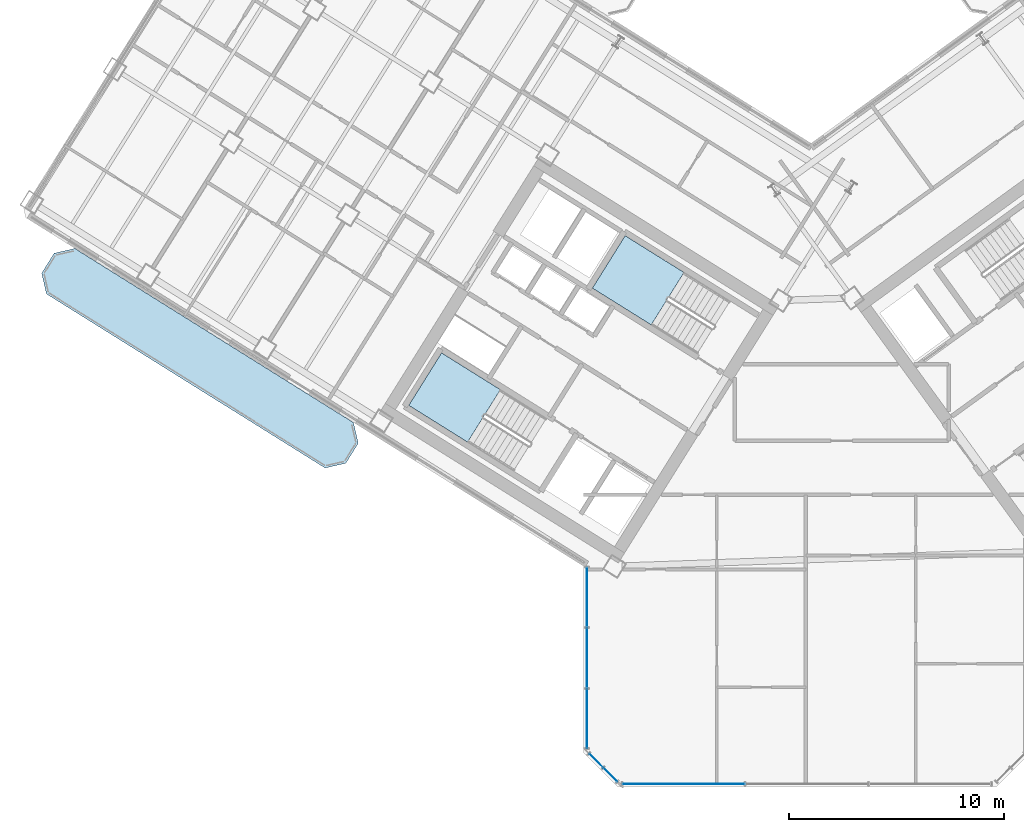
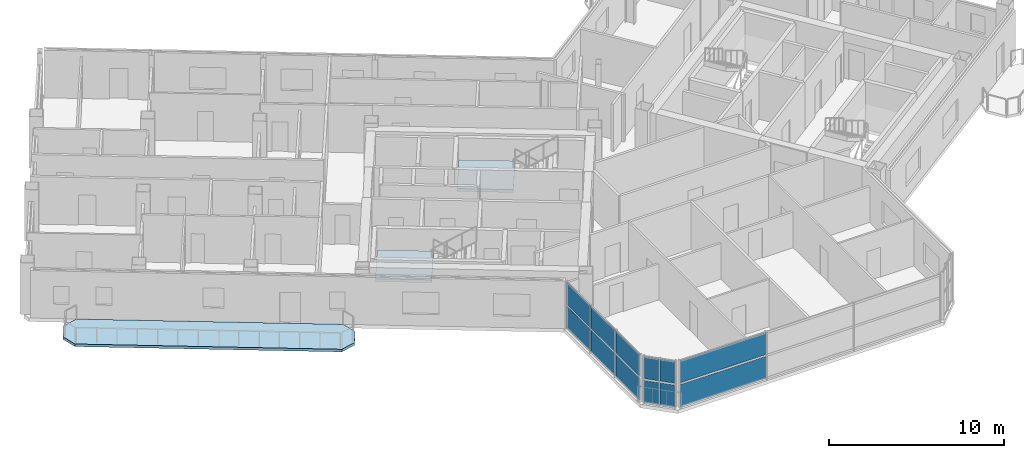
# One storey, part 8 of 21: 12 plates, 3 slabs, 5 elements without a shape of their own.
"""IFC4 building model written with IfcOpenShell, lengths in metres."""

import ifcopenshell
import ifcopenshell.guid

model = None  # the IFC model being written
_history = None  # IfcOwnerHistory: only IFC2X3 demands one
_inside = {}  # id of a spatial element -> (the spatial element, [elements in it])
_under = {}  # id of a project, library or spatial element -> (it, [spatial elements below it])
_declared = {}  # id of a project -> (the project, [libraries it declares])
_typed = {}  # id of a type object -> (the type object, [elements of that type])
_made_of = {}  # id of a material, layer set ... -> (it, [elements and type objects made of it])


def new_model(schema):
    """Start an empty IFC model of exactly this schema.

    Asked for "IFC4X3", IfcOpenShell would pick the latest addendum, in which some entities
    have other attributes; the version numbers below select the first issue.
    IFC2X3 requires an IfcOwnerHistory on every rooted entity: one is made here for all.
    """
    global model, _history
    if schema == "IFC4X3":
        model = ifcopenshell.file(schema_version=(4, 3, 0, 0))
    else:
        model = ifcopenshell.file(schema=schema)
    _inside.clear()
    _under.clear()
    _declared.clear()
    _typed.clear()
    _made_of.clear()
    _history = None
    if model.schema == "IFC2X3":
        org = make("IfcOrganization", Name="unknown")
        user = make(
            "IfcPersonAndOrganization",
            ThePerson=make("IfcPerson", FamilyName="unknown"),
            TheOrganization=org,
        )
        app = make(
            "IfcApplication",
            ApplicationDeveloper=org,
            Version="unknown",
            ApplicationFullName="unknown",
            ApplicationIdentifier="unknown",
        )
        _history = make(
            "IfcOwnerHistory",
            OwningUser=user,
            OwningApplication=app,
            ChangeAction="ADDED",
            CreationDate=0,
        )
    return model


def make(cls, **values):
    """One entity of the class cls with the attributes given. An attribute that is None is left unset."""
    return model.create_entity(
        cls, **{name: value for name, value in values.items() if value is not None}
    )


def rooted(cls, **values):
    """An entity with a GlobalId (a new one), such as an element, a storey or a relation."""
    return make(cls, GlobalId=ifcopenshell.guid.new(), OwnerHistory=_history, **values)


def si_unit(unit_type, name, prefix=None):
    """IfcSIUnit, for example si_unit("LENGTHUNIT", "METRE", prefix="MILLI")."""
    return make("IfcSIUnit", UnitType=unit_type, Prefix=prefix, Name=name)


def assignment(units):
    """IfcUnitAssignment: the units of a project."""
    return None if units is None else make("IfcUnitAssignment", Units=units)


def point(xyz):
    """IfcCartesianPoint."""
    return None if xyz is None else make("IfcCartesianPoint", Coordinates=xyz)


def direction(xyz):
    """IfcDirection."""
    return None if xyz is None else make("IfcDirection", DirectionRatios=xyz)


def frame(location, z_axis=None, x_axis=None):
    """IfcAxis2Placement3D, a coordinate frame: its origin and axes. An axis left out is left unset."""
    return make(
        "IfcAxis2Placement3D",
        Location=point(location),
        Axis=direction(z_axis),
        RefDirection=direction(x_axis),
    )


def frame_2d(location, x_axis=None):
    """IfcAxis2Placement2D, a coordinate frame in the plane: its origin and x axis."""
    return make(
        "IfcAxis2Placement2D", Location=point(location), RefDirection=direction(x_axis)
    )


def origin():
    """The frame at (0, 0, 0) with its axes left unset."""
    return frame((0.0, 0.0, 0.0))


def origin_2d():
    """The frame at (0, 0) in the plane with its x axis left unset."""
    return frame_2d((0.0, 0.0))


def place(relative_to, where):
    """IfcLocalPlacement: puts the frame where relative to a parent placement (None: the world)."""
    return make(
        "IfcLocalPlacement", PlacementRelTo=relative_to, RelativePlacement=where
    )


def context(
    kind, dimensions, precision=None, world=None, true_north=None, identifier=None
):
    """IfcGeometricRepresentationContext, for example the 3D "Model" context."""
    return make(
        "IfcGeometricRepresentationContext",
        ContextIdentifier=identifier,
        ContextType=kind,
        CoordinateSpaceDimension=dimensions,
        Precision=precision,
        WorldCoordinateSystem=world,
        TrueNorth=true_north,
    )


def subcontext(parent, identifier, kind, view, scale=None):
    """IfcGeometricRepresentationSubContext, for example "Body" below "Model"."""
    return make(
        "IfcGeometricRepresentationSubContext",
        ContextIdentifier=identifier,
        ContextType=kind,
        ParentContext=parent,
        TargetScale=scale,
        TargetView=view,
    )


def project(units=None, contexts=None):
    """IfcProject with its units and contexts."""
    return rooted(
        "IfcProject",
        Name="project",
        RepresentationContexts=contexts,
        UnitsInContext=assignment(units),
    )


def spatial(cls, under=None, at=None, **own):
    """A site, building, storey or space (cls), placed at a placement, below another one or the project."""
    s = rooted(cls, ObjectPlacement=at, **own)
    if under is not None:
        _under.setdefault(under.id(), (under, []))[1].append(s)
    return s


def polyline(points):
    """IfcPolyline through the points."""
    return make("IfcPolyline", Points=[point(p) for p in points])


def profile(cls, at=None, kind="AREA", **sizes):
    """A parametric profile (cls). Its sizes go by their IFC names, for example OverallWidth=200.0."""
    return make(cls, ProfileType=kind, Position=at, **sizes)


def rectangle(**sizes):
    """IfcRectangleProfileDef."""
    return profile("IfcRectangleProfileDef", **sizes)


def outline(outer, holes=None, kind="AREA"):
    """IfcArbitraryClosedProfileDef: a profile drawn as a closed curve; with holes, ...WithVoids."""
    if holes is None:
        return make("IfcArbitraryClosedProfileDef", ProfileType=kind, OuterCurve=outer)
    return make(
        "IfcArbitraryProfileDefWithVoids",
        ProfileType=kind,
        OuterCurve=outer,
        InnerCurves=holes,
    )


def extrude(swept, where, along, depth):
    """IfcExtrudedAreaSolid: the profile swept, set in the frame where, extruded along a direction by depth."""
    return make(
        "IfcExtrudedAreaSolid",
        SweptArea=swept,
        Position=where,
        ExtrudedDirection=direction(along),
        Depth=depth,
    )


def shape(context_of_items, identifier, shape_type, items):
    """IfcShapeRepresentation: the items that make up one representation, for example the "Body"."""
    return make(
        "IfcShapeRepresentation",
        ContextOfItems=context_of_items,
        RepresentationIdentifier=identifier,
        RepresentationType=shape_type,
        Items=items,
    )


def source(mapping_origin, context_of_items, identifier, shape_type, items):
    """IfcRepresentationMap: a shape defined once, which mapped items show again and again."""
    return make(
        "IfcRepresentationMap",
        MappingOrigin=mapping_origin,
        MappedRepresentation=shape(context_of_items, identifier, shape_type, items),
    )


def transform(
    local_origin,
    x_axis=None,
    y_axis=None,
    z_axis=None,
    scale=None,
    scale2=None,
    scale3=None,
    uniform=True,
):
    """IfcCartesianTransformationOperator3D, or its non-uniform kind. x_axis, y_axis, z_axis: its Axis1, 2, 3."""
    if uniform:
        return make(
            "IfcCartesianTransformationOperator3D",
            Axis1=direction(x_axis),
            Axis2=direction(y_axis),
            LocalOrigin=point(local_origin),
            Scale=scale,
            Axis3=direction(z_axis),
        )
    return make(
        "IfcCartesianTransformationOperator3DnonUniform",
        Axis1=direction(x_axis),
        Axis2=direction(y_axis),
        LocalOrigin=point(local_origin),
        Scale=scale,
        Axis3=direction(z_axis),
        Scale2=scale2,
        Scale3=scale3,
    )


def mapped(mapping_source, mapping_target):
    """IfcMappedItem: shows the shape of a source again, moved by a transform."""
    return make(
        "IfcMappedItem", MappingSource=mapping_source, MappingTarget=mapping_target
    )


def material(Name=None, Category=None):
    """IfcMaterial."""
    return make("IfcMaterial", Name=Name, Category=Category)


def layer(
    of_material, thickness, ventilated=None, Name=None, Category=None, Priority=None
):
    """IfcMaterialLayer: one layer of a wall or slab, of a material (None: an air gap)."""
    return make(
        "IfcMaterialLayer",
        Material=of_material,
        LayerThickness=thickness,
        IsVentilated=ventilated,
        Name=Name,
        Category=Category,
        Priority=Priority,
    )


def layer_set(layers, Name=None):
    """IfcMaterialLayerSet."""
    return make("IfcMaterialLayerSet", MaterialLayers=layers, LayerSetName=Name)


def made_of(thing, what):
    """Note that an element or type object is made of a material, layer set ...; save() writes the relation."""
    if what is not None:
        _made_of.setdefault(what.id(), (what, []))[1].append(thing)
    return thing


def type_object(cls, material=None, **own):
    """A type object (cls), such as IfcWallType, which elements share."""
    return made_of(rooted(cls, **own), material)


def element(
    cls,
    number,
    at=None,
    inside=None,
    cuts=None,
    type_object=None,
    material=None,
    context=None,
    identifier="Body",
    shape_type=None,
    held_by="IfcProductDefinitionShape",
    body=None,
    shapes=None,
    **own,
):
    """One element of the class cls, such as IfcWall. Its Tag is "e" and its number.

    at: its placement. inside: the storey or other place that contains it. cuts: it is an
    opening in that element (IfcRelVoidsElement). A single representation is given by context,
    identifier, shape_type and body (its items); several are given by shapes. held_by: the class
    of the entity that holds the representations. save() writes the other relations.
    """
    e = rooted(cls, Tag="e%d" % number, ObjectPlacement=at, **own)
    if body is not None:
        shapes = [shape(context, identifier, shape_type, body)]
    if shapes is not None:
        e.Representation = make(held_by, Representations=shapes)
    if inside is not None:
        _inside.setdefault(inside.id(), (inside, []))[1].append(e)
    if cuts is not None:
        rooted(
            "IfcRelVoidsElement", RelatingBuildingElement=cuts, RelatedOpeningElement=e
        )
    if type_object is not None:
        _typed.setdefault(type_object.id(), (type_object, []))[1].append(e)
    return made_of(e, material)


def aggregate(whole, parts):
    """IfcRelAggregates: a whole, such as a stair, and the parts it consists of."""
    return rooted("IfcRelAggregates", RelatingObject=whole, RelatedObjects=parts)


def save(model, path):
    """Write the relations noted so far, then the file.

    IfcRelAggregates (storeys below a building ...), IfcRelContainedInSpatialStructure (elements
    in a storey), IfcRelDefinesByType, IfcRelAssociatesMaterial and IfcRelDeclares: one each for
    every whole, place, type object, material and project.
    """
    for whole, parts in _under.values():
        aggregate(whole, parts)
    for where, things in _inside.values():
        rooted(
            "IfcRelContainedInSpatialStructure",
            RelatedElements=things,
            RelatingStructure=where,
        )
    for kind, things in _typed.values():
        rooted("IfcRelDefinesByType", RelatedObjects=things, RelatingType=kind)
    for what, things in _made_of.values():
        rooted("IfcRelAssociatesMaterial", RelatedObjects=things, RelatingMaterial=what)
    for by, libraries in _declared.values():
        rooted("IfcRelDeclares", RelatingContext=by, RelatedDefinitions=libraries)
    model.write(path)


model = new_model("IFC4")

# Units and contexts
model_context = context("Model", 3, precision=1e-05, world=origin(), true_north=direction((0.0, 1.0)))
body_context = subcontext(model_context, "Body", "Model", "MODEL_VIEW")
ifc_project = project(units=[si_unit("LENGTHUNIT", "METRE"), si_unit("AREAUNIT", "SQUARE_METRE"), si_unit("VOLUMEUNIT", "CUBIC_METRE"), si_unit("PLANEANGLEUNIT", "RADIAN"), si_unit("MASSUNIT", "GRAM", prefix="KILO")], contexts=[model_context])

# Site, building, storey
site_placement = place(None, origin())
site = spatial("IfcSite", under=ifc_project, at=site_placement, CompositionType="ELEMENT")
building_placement = place(site_placement, origin())
building = spatial("IfcBuilding", under=site, at=building_placement, Name="Tlacorven Tower", CompositionType="ELEMENT")
storey_placement = place(building_placement, frame((0.0, 0.0, 191.39990234375)))
storey = spatial("IfcBuildingStorey", under=building, at=storey_placement, Name="L48", CompositionType="ELEMENT", Elevation=191.39990234375)

# Slab
ifc_material_1 = material(Name="Precast concrete C45/55", Category="concrete")
ifc_layer_1 = layer(ifc_material_1, 0.179931640625)
ifc_layer_set_1 = layer_set([ifc_layer_1], Name="Precast concrete C45/55")
slab_type_1 = type_object("IfcSlabType", Name="SL-BAL-180", PredefinedType="USERDEFINED", material=ifc_layer_set_1)
slab_1_placement = place(storey_placement, frame((0.0, 0.0, -0.179931640625)))
element("IfcSlab", 1, at=slab_1_placement, inside=storey, type_object=slab_type_1, Name="L48 West Wing Balcony Ribbon OUT", ObjectType="BALCONY SLAB", PredefinedType="USERDEFINED", context=body_context, shape_type="SweptSolid", body=[
    extrude(outline(polyline([(20.88671875, 18.78271484375), (7.91162109375, 26.890625), (6.947021484375, 26.66796875), (6.366943359375, 25.7392578125), (6.589599609375, 24.774658203125), (19.564697265625, 16.6669921875), (20.529296875, 16.8896484375), (21.109375, 17.818115234375), (20.88671875, 18.78271484375)])), origin(), (0.0, 0.0, 1.0), 0.179931640625),
])

# Stair, slab
ifc_material_2 = material(Name="Concrete C40/50", Category="concrete")
stair_type = type_object("IfcStairType", Name="ST-CORE-DLG", PredefinedType="HALF_TURN_STAIR", material=ifc_material_2)
stair_1_placement = place(storey_placement, origin())
stair_1 = element("IfcStair", 2, at=stair_1_placement, inside=storey, type_object=stair_type, Name="L48 Protected Exit Stair West 1", PredefinedType="HALF_TURN_STAIR")
ifc_layer_2 = layer(ifc_material_2, 0.199951171875)
ifc_layer_set_2 = layer_set([ifc_layer_2], Name="Concrete C40/50")
slab_type_2 = type_object("IfcSlabType", Name="SL-LND-200", PredefinedType="LANDING", material=ifc_layer_set_2)
slab_2_placement = place(storey_placement, frame((0.0, 0.0, 1.60009765625)))
slab_2 = element("IfcSlab", 3, at=slab_2_placement, type_object=slab_type_2, Name="ST-W1 landing 1", PredefinedType="LANDING", context=body_context, shape_type="SweptSolid", body=[
    extrude(outline(polyline([(27.728515625, 20.315185546875), (24.9892578125, 22.02685546875), (23.463134765625, 19.58447265625), (26.2021484375, 17.872802734375), (27.728515625, 20.315185546875)])), origin(), (0.0, 0.0, 1.0), 0.199951171875),
])
aggregate(stair_1, [slab_2])

stair_2_placement = place(storey_placement, origin())
stair_2 = element("IfcStair", 4, at=stair_2_placement, inside=storey, type_object=stair_type, Name="L48 Protected Exit Stair West 2", PredefinedType="HALF_TURN_STAIR")
slab_3_placement = place(storey_placement, frame((0.0, 0.0, 1.60009765625)))
slab_3 = element("IfcSlab", 5, at=slab_3_placement, type_object=slab_type_2, Name="ST-W2 landing 1", PredefinedType="LANDING", context=body_context, shape_type="SweptSolid", body=[
    extrude(outline(polyline([(36.280029296875, 25.772705078125), (33.540771484375, 27.484375), (32.0146484375, 25.0419921875), (34.75390625, 23.33056640625), (36.280029296875, 25.772705078125)])), origin(), (0.0, 0.0, 1.0), 0.199951171875),
])
aggregate(stair_2, [slab_3])

# Curtain wall, plates
ifc_material_3 = material(Name="Dark solar low-E double glazing in aluminium frame", Category="aluminium")
curtain_wall_type = type_object("IfcCurtainWallType", Name="CW-TWR-MID", PredefinedType="USERDEFINED", material=ifc_material_3)
curtain_wall_1_placement = place(storey_placement, origin())
curtain_wall_1 = element("IfcCurtainWall", 6, at=curtain_wall_1_placement, inside=storey, type_object=curtain_wall_type, Name="L48 CW-TWR-MID Curtain Wall 222", ObjectType="UNITISED CURTAIN WALL", PredefinedType="USERDEFINED")
ifc_material_4 = material(Name="High-wind dark solar tempered low-E glazing", Category="glass")
ifc_layer_3 = layer(ifc_material_4, 0.028076171875)
ifc_layer_set_3 = layer_set([ifc_layer_3], Name="High-wind dark solar tempered low-E glazing")
plate_type = type_object("IfcPlateType", Name="CWP-03", PredefinedType="CURTAIN_PANEL", material=ifc_layer_set_3)
shared_shape_1 = source(origin(), body_context, "Body", "SweptSolid", [
    extrude(rectangle(XDim=0.885498046875, YDim=0.028076171875, at=origin_2d()), origin(), (0.0, 0.0, 1.0), 1.5380859375),
])
plate_1_placement = place(storey_placement, frame((32.8427734375, 2.38330078125, 0.06103515625), z_axis=(0.0, 0.0, 1.0), x_axis=(-0.707106781187, 0.707106781187, 0.0)))
plate_1 = element("IfcPlate", 7, at=plate_1_placement, type_object=plate_type, Name="CW-L48-222 Glazing Panel 1", PredefinedType="CURTAIN_PANEL", context=body_context, shape_type="MappedRepresentation", body=[
    mapped(shared_shape_1, transform((0.0, 0.0, 0.0), scale=1.0)),
])
plate_2_placement = place(storey_placement, frame((32.8427734375, 2.38330078125, 1.720947265625), z_axis=(0.0, 0.0, 1.0), x_axis=(-0.707106781187, 0.707106781187, 0.0)))
plate_2 = element("IfcPlate", 8, at=plate_2_placement, type_object=plate_type, Name="CW-L48-222 Glazing Panel 2", PredefinedType="CURTAIN_PANEL", context=body_context, shape_type="MappedRepresentation", body=[
    mapped(shared_shape_1, transform((0.0, 0.0, 0.0), scale=1.0)),
])
plate_3_placement = place(storey_placement, frame((32.183349609375, 3.04296875, 0.06103515625), z_axis=(0.0, 0.0, 1.0), x_axis=(-0.707106781187, 0.707106781187, 0.0)))
plate_3 = element("IfcPlate", 9, at=plate_3_placement, type_object=plate_type, Name="CW-L48-222 Glazing Panel 3", PredefinedType="CURTAIN_PANEL", context=body_context, shape_type="MappedRepresentation", body=[
    mapped(shared_shape_1, transform((0.0, 0.0, 0.0), scale=1.0)),
])
plate_4_placement = place(storey_placement, frame((32.183349609375, 3.04296875, 1.720947265625), z_axis=(0.0, 0.0, 1.0), x_axis=(-0.707106781187, 0.707106781187, 0.0)))
plate_4 = element("IfcPlate", 10, at=plate_4_placement, type_object=plate_type, Name="CW-L48-222 Glazing Panel 4", PredefinedType="CURTAIN_PANEL", context=body_context, shape_type="MappedRepresentation", body=[
    mapped(shared_shape_1, transform((0.0, 0.0, 0.0), scale=1.0)),
])
aggregate(curtain_wall_1, [plate_1, plate_2, plate_3, plate_4])

curtain_wall_2_placement = place(storey_placement, origin())
curtain_wall_2 = element("IfcCurtainWall", 11, at=curtain_wall_2_placement, inside=storey, type_object=curtain_wall_type, Name="L48 CW-TWR-MID Curtain Wall 221", ObjectType="UNITISED CURTAIN WALL", PredefinedType="USERDEFINED")
shared_shape_2 = source(origin(), body_context, "Body", "SweptSolid", [
    extrude(rectangle(XDim=5.67626953125, YDim=0.028076171875, at=origin_2d()), origin(), (0.0, 0.0, 1.0), 1.5380859375),
])
plate_5_placement = place(storey_placement, frame((36.260498046875, 1.9599609375, 0.06103515625), z_axis=(0.0, 0.0, 1.0), x_axis=(-1.0, 0.0, 0.0)))
plate_5 = element("IfcPlate", 12, at=plate_5_placement, type_object=plate_type, Name="CW-L48-221 Glazing Panel 5", PredefinedType="CURTAIN_PANEL", context=body_context, shape_type="MappedRepresentation", body=[
    mapped(shared_shape_2, transform((0.0, 0.0, 0.0), scale=1.0)),
])
plate_6_placement = place(storey_placement, frame((36.260498046875, 1.9599609375, 1.720947265625), z_axis=(0.0, 0.0, 1.0), x_axis=(-1.0, 0.0, 0.0)))
plate_6 = element("IfcPlate", 13, at=plate_6_placement, type_object=plate_type, Name="CW-L48-221 Glazing Panel 6", PredefinedType="CURTAIN_PANEL", context=body_context, shape_type="MappedRepresentation", body=[
    mapped(shared_shape_2, transform((0.0, 0.0, 0.0), scale=1.0)),
])
aggregate(curtain_wall_2, [plate_5, plate_6])

curtain_wall_3_placement = place(storey_placement, origin())
curtain_wall_3 = element("IfcCurtainWall", 14, at=curtain_wall_3_placement, inside=storey, type_object=curtain_wall_type, Name="L48 CW-TWR-MID Curtain Wall 223", ObjectType="UNITISED CURTAIN WALL", PredefinedType="USERDEFINED")
shared_shape_3 = source(origin(), body_context, "Body", "SweptSolid", [
    extrude(rectangle(XDim=2.759521484375, YDim=0.028076171875, at=origin_2d()), origin(), (0.0, 0.0, 1.0), 1.5380859375),
])
plate_7_placement = place(storey_placement, frame((31.760009765625, 5.001953125, 0.06103515625), z_axis=(0.0, 0.0, 1.0), x_axis=(0.0, 1.0, 0.0)))
plate_7 = element("IfcPlate", 15, at=plate_7_placement, type_object=plate_type, Name="CW-L48-223 Glazing Panel 1", PredefinedType="CURTAIN_PANEL", context=body_context, shape_type="MappedRepresentation", body=[
    mapped(shared_shape_3, transform((0.0, 0.0, 0.0), scale=1.0)),
])
plate_8_placement = place(storey_placement, frame((31.760009765625, 5.001953125, 1.720947265625), z_axis=(0.0, 0.0, 1.0), x_axis=(0.0, 1.0, 0.0)))
plate_8 = element("IfcPlate", 16, at=plate_8_placement, type_object=plate_type, Name="CW-L48-223 Glazing Panel 2", PredefinedType="CURTAIN_PANEL", context=body_context, shape_type="MappedRepresentation", body=[
    mapped(shared_shape_3, transform((0.0, 0.0, 0.0), scale=1.0)),
])
plate_9_placement = place(storey_placement, frame((31.760009765625, 10.6474609375, 0.06103515625), z_axis=(0.0, 0.0, 1.0), x_axis=(0.0, 1.0, 0.0)))
plate_9 = element("IfcPlate", 17, at=plate_9_placement, type_object=plate_type, Name="CW-L48-223 Glazing Panel 5", PredefinedType="CURTAIN_PANEL", context=body_context, shape_type="MappedRepresentation", body=[
    mapped(shared_shape_3, transform((0.0, 0.0, 0.0), scale=1.0)),
])
plate_10_placement = place(storey_placement, frame((31.760009765625, 10.6474609375, 1.720947265625), z_axis=(0.0, 0.0, 1.0), x_axis=(0.0, 1.0, 0.0)))
plate_10 = element("IfcPlate", 18, at=plate_10_placement, type_object=plate_type, Name="CW-L48-223 Glazing Panel 6", PredefinedType="CURTAIN_PANEL", context=body_context, shape_type="MappedRepresentation", body=[
    mapped(shared_shape_3, transform((0.0, 0.0, 0.0), scale=1.0)),
])
shared_shape_4 = source(origin(), body_context, "Body", "SweptSolid", [
    extrude(rectangle(XDim=2.7919921875, YDim=0.028076171875, at=origin_2d()), origin(), (0.0, 0.0, 1.0), 1.5380859375),
])
plate_11_placement = place(storey_placement, frame((31.760009765625, 7.82470703125, 0.06103515625), z_axis=(0.0, 0.0, 1.0), x_axis=(0.0, 1.0, 0.0)))
plate_11 = element("IfcPlate", 19, at=plate_11_placement, type_object=plate_type, Name="CW-L48-223 Glazing Panel 3", PredefinedType="CURTAIN_PANEL", context=body_context, shape_type="MappedRepresentation", body=[
    mapped(shared_shape_4, transform((0.0, 0.0, 0.0), scale=1.0)),
])
plate_12_placement = place(storey_placement, frame((31.760009765625, 7.82470703125, 1.720947265625), z_axis=(0.0, 0.0, 1.0), x_axis=(0.0, 1.0, 0.0)))
plate_12 = element("IfcPlate", 20, at=plate_12_placement, type_object=plate_type, Name="CW-L48-223 Glazing Panel 4", PredefinedType="CURTAIN_PANEL", context=body_context, shape_type="MappedRepresentation", body=[
    mapped(shared_shape_4, transform((0.0, 0.0, 0.0), scale=1.0)),
])
aggregate(curtain_wall_3, [plate_7, plate_8, plate_11, plate_12, plate_9, plate_10])

save(model, "model.ifc")
